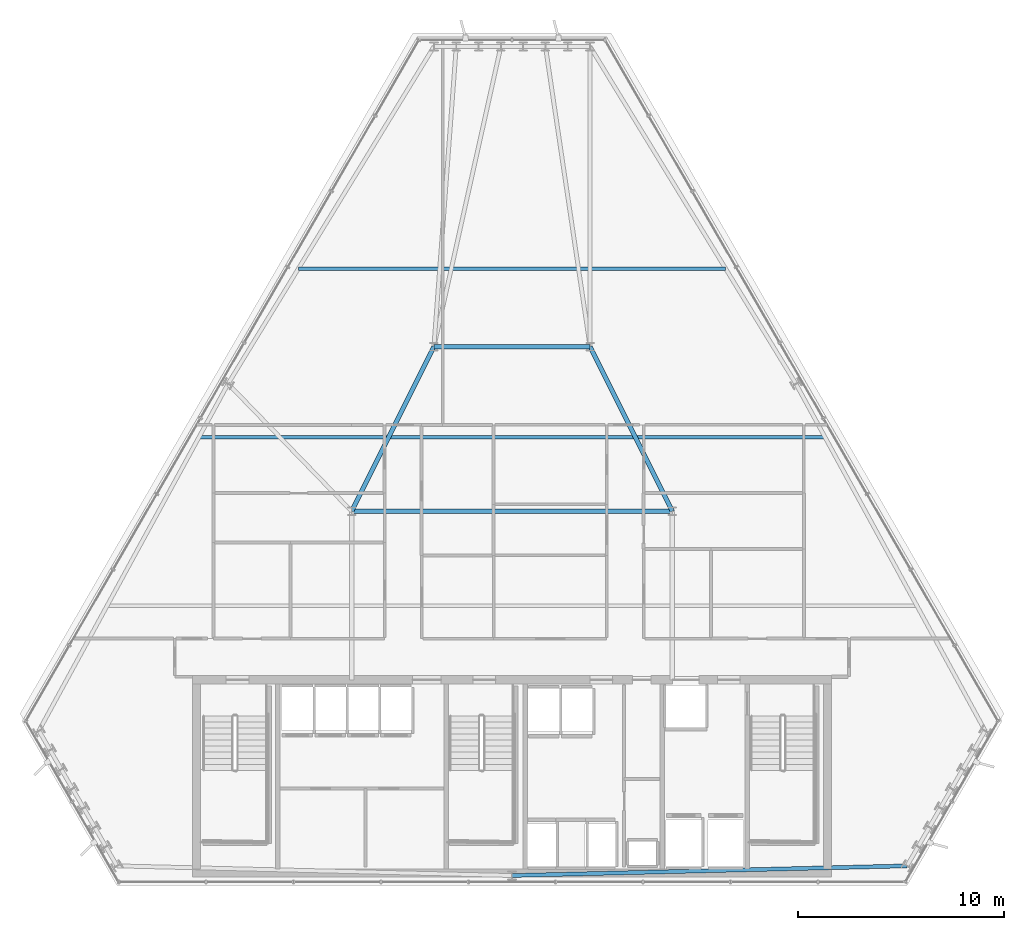
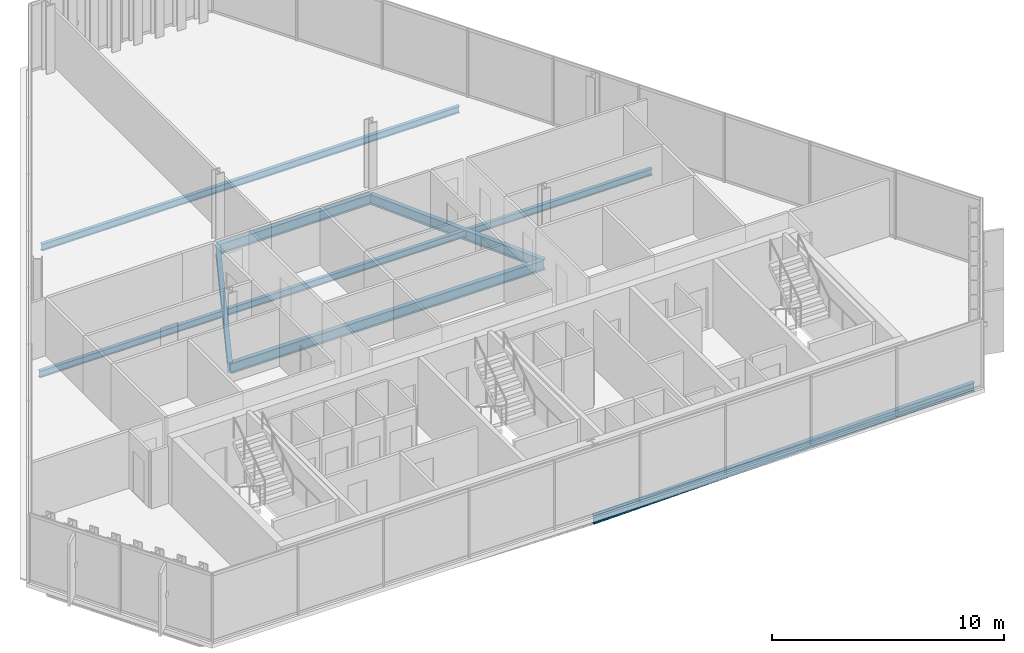
# One storey, part 13 of 34: 7 beams.
"""IFC4 building model written with IfcOpenShell, lengths in metres."""

from ifc_helpers import new_model, si_unit, direction, frame, origin, origin_2d, place, context, subcontext, project, spatial, i_section, extrude, material, material_profile, profile_set, type_object, element, save


model = new_model("IFC4")

# Units and contexts
model_context = context("Model", 3, precision=1e-05, world=origin(), true_north=direction((0.0, 1.0)))
body_context = subcontext(model_context, "Body", "Model", "MODEL_VIEW")
ifc_project = project(units=[si_unit("LENGTHUNIT", "METRE"), si_unit("AREAUNIT", "SQUARE_METRE"), si_unit("VOLUMEUNIT", "CUBIC_METRE"), si_unit("PLANEANGLEUNIT", "RADIAN"), si_unit("MASSUNIT", "GRAM", prefix="KILO")], contexts=[model_context])

# Site, building, storey
site_placement = place(None, origin())
site = spatial("IfcSite", under=ifc_project, at=site_placement, CompositionType="ELEMENT")
building_placement = place(site_placement, origin())
building = spatial("IfcBuilding", under=site, at=building_placement, Name="Ndaravel Arena Tower", CompositionType="ELEMENT")
storey_placement = place(building_placement, frame((0.0, 0.0, 191.60009765625)))
storey = spatial("IfcBuildingStorey", under=building, at=storey_placement, Name="L46", CompositionType="ELEMENT", Elevation=191.60009765625)

# Beams
ifc_material_1 = material(Name="Steel S355", Category="steel")
ifc_material_profile_1 = material_profile(ifc_material_1, i_section(OverallWidth=0.210693359375, OverallDepth=0.53955078125, WebThickness=0.01171875, FlangeThickness=0.018798828125, FilletRadius=0.0126953125, at=origin_2d()), Name="UB 533x210x109")
ifc_profile_set_1 = profile_set([ifc_material_profile_1], Name="Steel S355")
beam_type_1 = type_object("IfcBeamType", Name="BM-GIRD-UB533", PredefinedType="BEAM", material=ifc_profile_set_1)
beam_1_placement = place(storey_placement, frame((34.199951171875, 23.199951171875, -0.48974609375), z_axis=(1.0, 0.0, 0.0), x_axis=(0.0, 1.0, 0.0)))
element("IfcBeam", 1, at=beam_1_placement, inside=storey, type_object=beam_type_1, Name="L46 Spine Link Girder SLG-03", PredefinedType="BEAM", context=body_context, shape_type="SweptSolid", body=[
    extrude(i_section(OverallWidth=0.210693359375, OverallDepth=0.53955078125, WebThickness=0.01171875, FlangeThickness=0.018798828125, FilletRadius=0.0126953125, at=origin_2d()), origin(), (0.0, 0.0, 1.0), 15.60009765625),
])
for number, where, z_axis, x_axis, name in (
    (2, (34.199951171875, 23.199951171875, -0.48974609375), (0.4472135955, 0.894427191, 0.0), (-0.894427191, 0.4472135955, 0.0), "L46 Spine Link Girder SLG-04"),
    (3, (49.800048828125, 23.199951171875, -0.48974609375), (-0.4472135955, 0.894427191, 0.0), (-0.894427191, -0.4472135955, 0.0), "L46 Spine Link Girder SLG-05"),
):
    element("IfcBeam", number, at=place(storey_placement, frame(where, z_axis=z_axis, x_axis=x_axis)), inside=storey, type_object=beam_type_1, Name=name, PredefinedType="BEAM", context=body_context, shape_type="SweptSolid", body=[
        extrude(i_section(OverallWidth=0.210693359375, OverallDepth=0.53955078125, WebThickness=0.01171875, FlangeThickness=0.018798828125, FilletRadius=0.0126953125, at=origin_2d()), origin(), (0.0, 0.0, 1.0), 8.9443359375),
    ])
beam_2_placement = place(storey_placement, frame((38.199951171875, 31.199951171875, -0.48974609375), z_axis=(1.0, 0.0, 0.0), x_axis=(0.0, 1.0, 0.0)))
element("IfcBeam", 4, at=beam_2_placement, inside=storey, type_object=beam_type_1, Name="L46 Spine Link Girder SLG-06", PredefinedType="BEAM", context=body_context, shape_type="SweptSolid", body=[
    extrude(i_section(OverallWidth=0.210693359375, OverallDepth=0.53955078125, WebThickness=0.01171875, FlangeThickness=0.018798828125, FilletRadius=0.0126953125, at=origin_2d()), origin(), (0.0, 0.0, 1.0), 7.60009765625),
])
ifc_material_2 = material(Name="Steel S355", Category="steel")
ifc_material_profile_2 = material_profile(ifc_material_2, i_section(OverallWidth=0.172119140625, OverallDepth=0.35791015625, WebThickness=0.008056640625, FlangeThickness=0.012939453125, FilletRadius=0.01025390625, at=origin_2d()), Name="UB 356x171x57")
ifc_profile_set_2 = profile_set([ifc_material_profile_2], Name="Steel S355")
beam_type_2 = type_object("IfcBeamType", Name="BM-JOIST-UB356", PredefinedType="JOIST", material=ifc_profile_set_2)
beam_3_placement = place(storey_placement, frame((26.772216796875, 26.800048828125, -0.399169921875), z_axis=(1.0, 0.0, 0.0), x_axis=(0.0, 1.0, 0.0)))
element("IfcBeam", 5, at=beam_3_placement, inside=storey, type_object=beam_type_2, Name="L46 Composite Floor Joist FJ-02", PredefinedType="JOIST", context=body_context, shape_type="SweptSolid", body=[
    extrude(i_section(OverallWidth=0.172119140625, OverallDepth=0.35791015625, WebThickness=0.008056640625, FlangeThickness=0.012939453125, FilletRadius=0.01025390625, at=origin_2d()), origin(), (0.0, 0.0, 1.0), 30.45556640625),
])
beam_4_placement = place(storey_placement, frame((31.60791015625, 35.0, -0.399169921875), z_axis=(1.0, 0.0, 0.0), x_axis=(0.0, 1.0, 0.0)))
element("IfcBeam", 6, at=beam_4_placement, inside=storey, type_object=beam_type_2, Name="L46 Composite Floor Joist FJ-03", PredefinedType="JOIST", context=body_context, shape_type="SweptSolid", body=[
    extrude(i_section(OverallWidth=0.172119140625, OverallDepth=0.35791015625, WebThickness=0.008056640625, FlangeThickness=0.012939453125, FilletRadius=0.01025390625, at=origin_2d()), origin(), (0.0, 0.0, 1.0), 20.7841796875),
])
ifc_material_3 = material(Name="Steel S355", Category="steel")
ifc_material_profile_3 = material_profile(ifc_material_3, i_section(OverallWidth=0.18994140625, OverallDepth=0.449951171875, WebThickness=0.009521484375, FlangeThickness=0.0146484375, FilletRadius=0.02099609375, at=origin_2d()), Name="IPE 450")
ifc_profile_set_3 = profile_set([ifc_material_profile_3], Name="Steel S355")
beam_type_3 = type_object("IfcBeamType", Name="BM-SPAN-IPE450", PredefinedType="SPANDREL", material=ifc_profile_set_3)
beam_5_placement = place(storey_placement, frame((42.0, 5.47998046875, -0.445068359375), z_axis=(0.999701337361, 0.02443841399, 0.0), x_axis=(-0.02443841399, 0.999701337361, 0.0)))
element("IfcBeam", 7, at=beam_5_placement, inside=storey, type_object=beam_type_3, Name="L46 Perimeter Spandrel Beam SP-01", PredefinedType="SPANDREL", context=body_context, shape_type="SweptSolid", body=[
    extrude(i_section(OverallWidth=0.18994140625, OverallDepth=0.449951171875, WebThickness=0.009521484375, FlangeThickness=0.0146484375, FilletRadius=0.02099609375, at=origin_2d()), origin(), (0.0, 0.0, 1.0), 19.220947265625),
])

save(model, "model.ifc")
